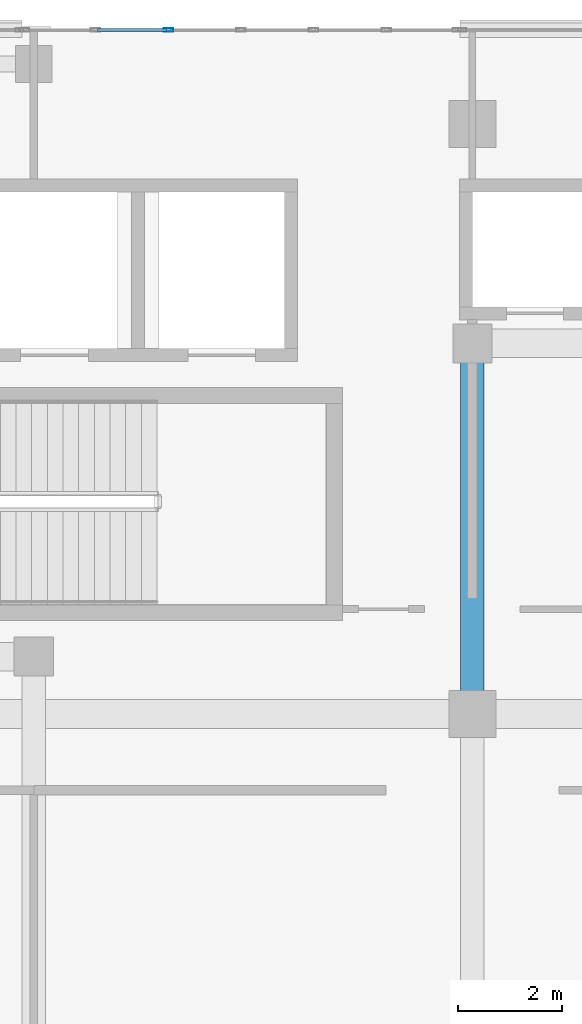
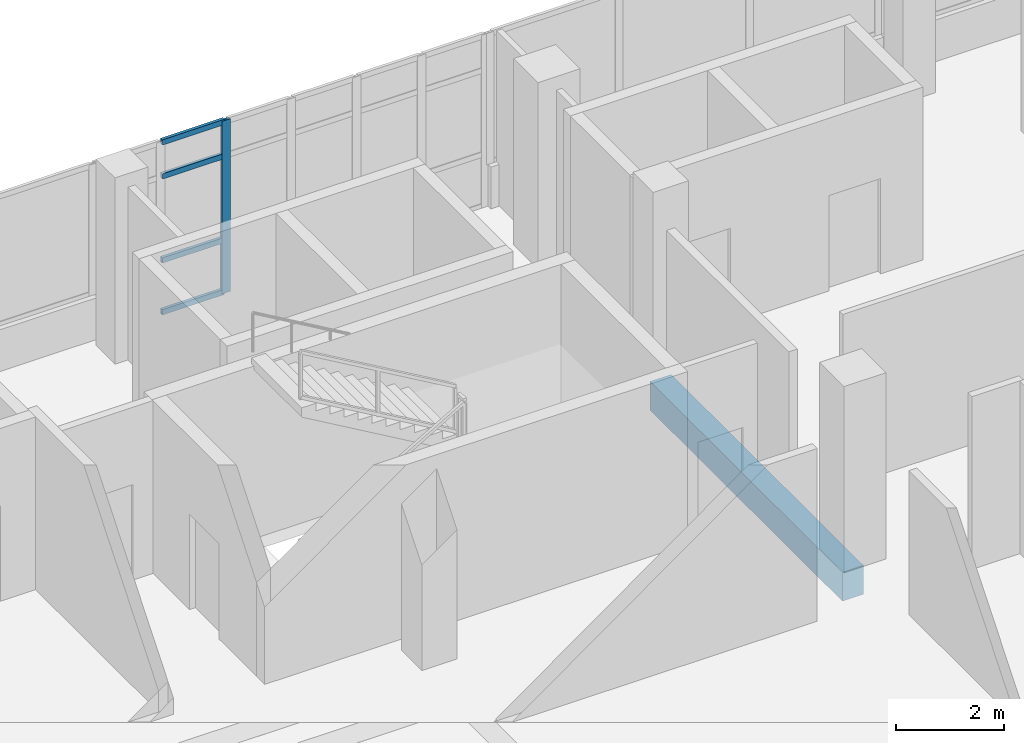
# One storey, part 114 of 184: 5 members, 1 beam, 1 element without a shape of its own.
"""IFC4 building model written with IfcOpenShell, lengths in metres."""

from ifc_helpers import new_model, si_unit, direction, frame, origin, origin_2d, place, context, subcontext, project, spatial, rectangle, hollow_rectangle, extrude, material, material_profile, profile_set, type_object, element, aggregate, save


model = new_model("IFC4")

# Units and contexts
model_context = context("Model", 3, precision=1e-05, world=origin(), true_north=direction((0.0, 1.0)))
body_context = subcontext(model_context, "Body", "Model", "MODEL_VIEW")
ifc_project = project(units=[si_unit("LENGTHUNIT", "METRE"), si_unit("AREAUNIT", "SQUARE_METRE"), si_unit("VOLUMEUNIT", "CUBIC_METRE"), si_unit("PLANEANGLEUNIT", "RADIAN"), si_unit("MASSUNIT", "GRAM", prefix="KILO")], contexts=[model_context])

# Site, building, storey
site_placement = place(None, origin())
site = spatial("IfcSite", under=ifc_project, at=site_placement, CompositionType="ELEMENT")
building_placement = place(site_placement, origin())
building = spatial("IfcBuilding", under=site, at=building_placement, Name="Selatvlak General Hospital", CompositionType="ELEMENT")
storey_placement = place(building_placement, frame((0.0, 0.0, 15.0)))
storey = spatial("IfcBuildingStorey", under=building, at=storey_placement, Name="L03", CompositionType="ELEMENT", Elevation=15.0)

# Beam
ifc_material_1 = material(Name="Concrete C40/50", Category="concrete")
ifc_material_profile_1 = material_profile(ifc_material_1, rectangle(XDim=0.449951171875, YDim=0.64990234375, at=origin_2d()), Name="RC-BM 450x650")
ifc_profile_set_1 = profile_set([ifc_material_profile_1], Name="Concrete C40/50")
beam_type = type_object("IfcBeamType", Name="BM-G04", PredefinedType="BEAM", material=ifc_profile_set_1)
beam_placement = place(storey_placement, frame((115.199951171875, 106.89990234375, -0.6650390625), z_axis=(0.0, 1.0, 0.0), x_axis=(-1.0, 0.0, 0.0)))
element("IfcBeam", 1, at=beam_placement, inside=storey, type_object=beam_type, Name="Beam BMR-L03-1358", PredefinedType="BEAM", context=body_context, shape_type="SweptSolid", body=[
    extrude(rectangle(XDim=0.449951171875, YDim=0.64990234375, at=origin_2d()), origin(), (0.0, 0.0, 1.0), 7.10009765625),
])

# Curtain wall, members
ifc_material_2 = material(Name="Solar-control Low-E double glazing", Category="glass")
curtain_wall_type = type_object("IfcCurtainWallType", Name="CW-CW-04", PredefinedType="USERDEFINED", material=ifc_material_2)
curtain_wall_placement = place(storey_placement, origin())
curtain_wall = element("IfcCurtainWall", 2, at=curtain_wall_placement, inside=storey, type_object=curtain_wall_type, Name="Glazed facade curtain wall CW-L03-0375", ObjectType="STICK GLAZING WALL", PredefinedType="USERDEFINED")
ifc_material_3 = material(Name="Dark anodised aluminium mullion", Category="aluminium")
ifc_material_profile_2 = material_profile(ifc_material_3, hollow_rectangle(XDim=0.06494140625, YDim=0.179931640625, WallThickness=0.00439453125, at=origin_2d()), Name="AL-MUL 65x180x4.5")
ifc_profile_set_2 = profile_set([ifc_material_profile_2], Name="Dark anodised aluminium mullion")
member_type_1 = type_object("IfcMemberType", Name="CWM-02", PredefinedType="MULLION", material=ifc_profile_set_2)
member_1_placement = place(storey_placement, frame((109.37744140625, 120.0, 0.0), z_axis=(0.0, 0.0, 1.0), x_axis=(0.0, 1.0, 0.0)))
member_1 = element("IfcMember", 3, at=member_1_placement, type_object=member_type_1, Name="CW-04 mullion 3", PredefinedType="MULLION", context=body_context, shape_type="SweptSolid", body=[
    extrude(hollow_rectangle(XDim=0.06494140625, YDim=0.179931640625, WallThickness=0.00439453125, at=origin_2d()), origin(), (0.0, 0.0, 1.0), 3.89501953125),
])
ifc_material_profile_3 = material_profile(ifc_material_3, hollow_rectangle(XDim=0.06494140625, YDim=0.1201171875, WallThickness=0.00390625, at=origin_2d()), Name="AL-TRN 65x120x4")
ifc_profile_set_3 = profile_set([ifc_material_profile_3], Name="Dark anodised aluminium mullion")
member_type_2 = type_object("IfcMemberType", Name="CWT-01", PredefinedType="USERDEFINED", material=ifc_profile_set_3)
member_2_placement = place(storey_placement, frame((108.01806640625, 120.0, 0.032470703125), z_axis=(1.0, 0.0, 0.0), x_axis=(0.0, 1.0, 0.0)))
member_2 = element("IfcMember", 4, at=member_2_placement, type_object=member_type_2, Name="CW-04 transom 2.1", ObjectType="TRANSOM", PredefinedType="USERDEFINED", context=body_context, shape_type="SweptSolid", body=[
    extrude(hollow_rectangle(XDim=0.06494140625, YDim=0.1201171875, WallThickness=0.00390625, at=origin_2d()), origin(), (0.0, 0.0, 1.0), 1.32666015625),
])
member_3_placement = place(storey_placement, frame((108.01806640625, 120.0, 1.199951171875), z_axis=(1.0, 0.0, 0.0), x_axis=(0.0, 1.0, 0.0)))
member_3 = element("IfcMember", 5, at=member_3_placement, type_object=member_type_2, Name="CW-04 transom 2.2", ObjectType="TRANSOM", PredefinedType="USERDEFINED", context=body_context, shape_type="SweptSolid", body=[
    extrude(hollow_rectangle(XDim=0.06494140625, YDim=0.1201171875, WallThickness=0.00390625, at=origin_2d()), origin(), (0.0, 0.0, 1.0), 1.32666015625),
])
member_4_placement = place(storey_placement, frame((108.01806640625, 120.0, 3.094970703125), z_axis=(1.0, 0.0, 0.0), x_axis=(0.0, 1.0, 0.0)))
member_4 = element("IfcMember", 6, at=member_4_placement, type_object=member_type_2, Name="CW-04 transom 2.3", ObjectType="TRANSOM", PredefinedType="USERDEFINED", context=body_context, shape_type="SweptSolid", body=[
    extrude(hollow_rectangle(XDim=0.06494140625, YDim=0.1201171875, WallThickness=0.00390625, at=origin_2d()), origin(), (0.0, 0.0, 1.0), 1.32666015625),
])
member_5_placement = place(storey_placement, frame((108.01806640625, 120.0, 3.862548828125), z_axis=(1.0, 0.0, 0.0), x_axis=(0.0, 1.0, 0.0)))
member_5 = element("IfcMember", 7, at=member_5_placement, type_object=member_type_2, Name="CW-04 transom 2.4", ObjectType="TRANSOM", PredefinedType="USERDEFINED", context=body_context, shape_type="SweptSolid", body=[
    extrude(hollow_rectangle(XDim=0.06494140625, YDim=0.1201171875, WallThickness=0.00390625, at=origin_2d()), origin(), (0.0, 0.0, 1.0), 1.32666015625),
])
aggregate(curtain_wall, [member_1, member_2, member_3, member_4, member_5])

save(model, "model.ifc")
